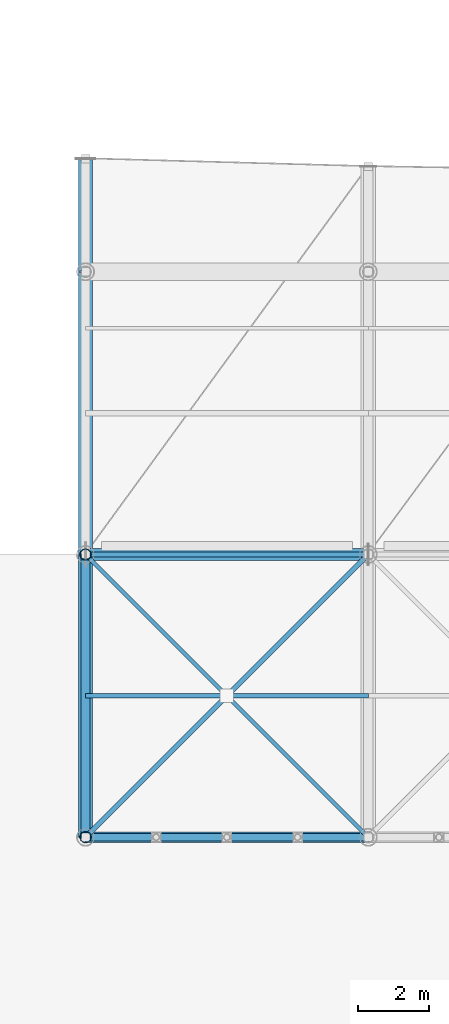
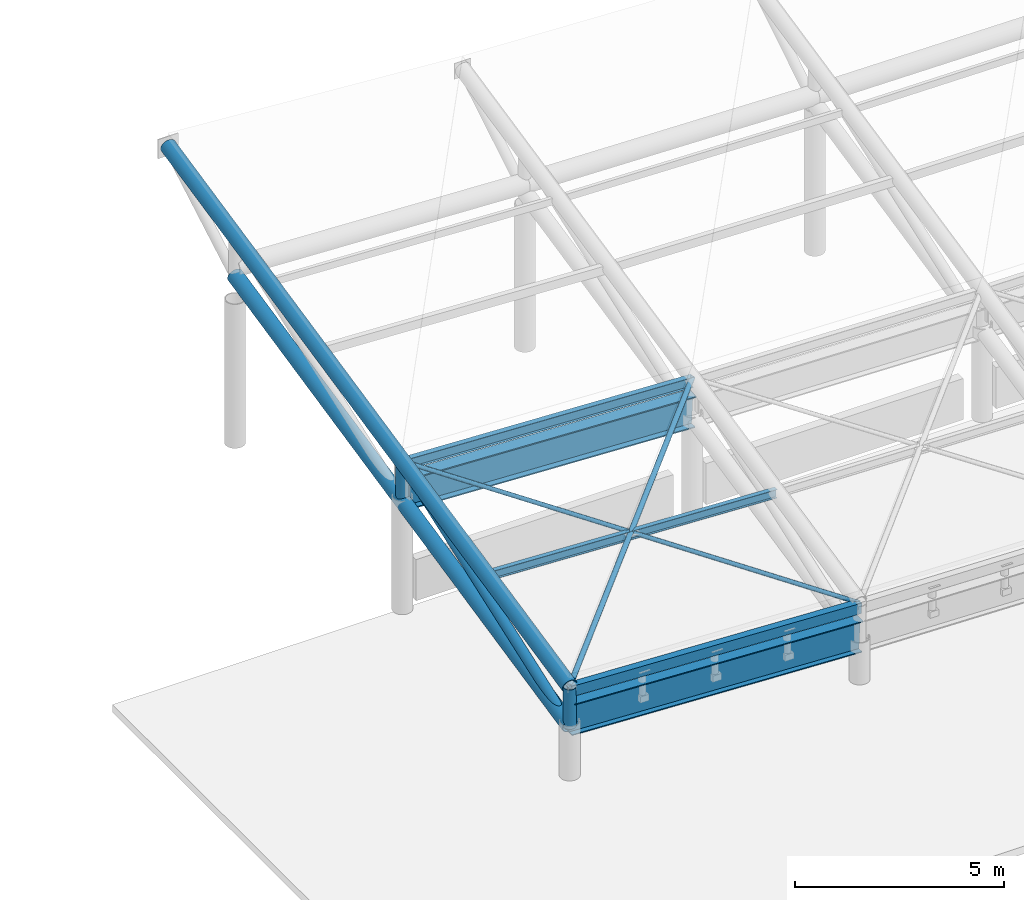
# One storey, part 19 of 78: 10 members, 3 beams.
"""IFC4 building model written with IfcOpenShell, lengths in metres."""

from ifc_helpers import new_model, si_unit, direction, frame, origin, origin_2d, place, context, subcontext, project, spatial, hollow_rectangle, hollow_circle, i_section, extrude, material, material_profile, profile_set, type_object, element, save


model = new_model("IFC4")

# Units and contexts
model_context = context("Model", 3, precision=1e-05, world=origin(), true_north=direction((0.0, 1.0)))
body_context = subcontext(model_context, "Body", "Model", "MODEL_VIEW")
ifc_project = project(units=[si_unit("LENGTHUNIT", "METRE"), si_unit("AREAUNIT", "SQUARE_METRE"), si_unit("VOLUMEUNIT", "CUBIC_METRE"), si_unit("PLANEANGLEUNIT", "RADIAN"), si_unit("MASSUNIT", "GRAM", prefix="KILO")], contexts=[model_context])

# Site, building, storey
site_placement = place(None, origin())
site = spatial("IfcSite", under=ifc_project, at=site_placement, CompositionType="ELEMENT")
building_placement = place(site_placement, origin())
building = spatial("IfcBuilding", under=site, at=building_placement, Name="Haebicheon Civic Stadium", CompositionType="ELEMENT")
storey_placement = place(building_placement, frame((0.0, 0.0, 18.60009765625)))
storey = spatial("IfcBuildingStorey", under=building, at=storey_placement, Name="L05", CompositionType="ELEMENT", Elevation=18.60009765625)

# Members
ifc_material_1 = material(Name="White painted steel SM490", Category="steel")
ifc_material_profile_1 = material_profile(ifc_material_1, hollow_circle(Radius=0.05712890625, WallThickness=0.006103515625, at=origin_2d()), Name="CHS-114.3x6.0")
ifc_profile_set_1 = profile_set([ifc_material_profile_1], Name="White painted steel SM490")
member_type_1 = type_object("IfcMemberType", Name="BRC-CHS114", PredefinedType="BRACE", material=ifc_profile_set_1)
member_1_placement = place(storey_placement, frame((88.0, 24.0, 2.219970703125), z_axis=(-0.695362195371, 0.695362195371, 0.181501610177), x_axis=(-0.707106781187, -0.707106781187, 0.0)))
element("IfcMember", 1, at=member_1_placement, inside=storey, type_object=member_type_1, material=ifc_profile_set_1, Name="BR114 diagonal brace CAN-SOUTH canopy bay 1 B1", PredefinedType="BRACE", context=body_context, shape_type="SweptSolid", body=[
    extrude(hollow_circle(Radius=0.05712890625, WallThickness=0.006103515625, at=origin_2d()), origin(), (0.0, 0.0, 1.0), 5.680419921875),
])
member_2_placement = place(storey_placement, frame((83.949951171875, 28.050048828125, 3.27685546875), z_axis=(-0.695383883673, 0.695383883673, 0.181335348613), x_axis=(-0.707106781187, -0.707106781187, 0.0)))
element("IfcMember", 2, at=member_2_placement, inside=storey, type_object=member_type_1, material=ifc_profile_set_1, Name="BR114 diagonal brace CAN-SOUTH canopy bay 1 B2", PredefinedType="BRACE", context=body_context, shape_type="SweptSolid", body=[
    extrude(hollow_circle(Radius=0.05712890625, WallThickness=0.006103515625, at=origin_2d()), origin(), (0.0, 0.0, 1.0), 5.68017578125),
])
ifc_material_2 = material(Name="White painted steel SM490", Category="steel")
ifc_material_profile_2 = material_profile(ifc_material_2, hollow_circle(Radius=0.06982421875, WallThickness=0.006591796875, at=origin_2d()), Name="CHS-139.8x6.6")
ifc_profile_set_2 = profile_set([ifc_material_profile_2], Name="White painted steel SM490")
member_type_2 = type_object("IfcMemberType", Name="BRC-CHS139", PredefinedType="BRACE", material=ifc_profile_set_2)
member_3_placement = place(storey_placement, frame((80.0, 24.0, 2.5869140625), z_axis=(0.702103787927, 0.702103787927, 0.118745702902), x_axis=(-0.707106781187, 0.707106781187, 0.0)))
element("IfcMember", 3, at=member_3_placement, inside=storey, type_object=member_type_2, material=ifc_profile_set_2, Name="BR139 diagonal brace CAN-SOUTH canopy bay 1 A", PredefinedType="BRACE", context=body_context, shape_type="SweptSolid", body=[
    extrude(hollow_circle(Radius=0.06982421875, WallThickness=0.006591796875, at=origin_2d()), origin(), (0.0, 0.0, 1.0), 11.394287109375),
])
ifc_material_3 = material(Name="White painted steel SM490", Category="steel")
ifc_material_profile_3 = material_profile(ifc_material_3, hollow_circle(Radius=0.1337890625, WallThickness=0.011962890625, at=origin_2d()), Name="CHS-267.4x12.0")
ifc_profile_set_3 = profile_set([ifc_material_profile_3], Name="White painted steel SM490")
member_type_3 = type_object("IfcMemberType", Name="BRC-CHS267", PredefinedType="BRACE", material=ifc_profile_set_3)
member_4_placement = place(storey_placement, frame((80.0, 24.0, 1.43701171875), z_axis=(0.0, 0.9412665544, 0.3376644393), x_axis=(-1.0, 0.0, 0.0)))
element("IfcMember", 4, at=member_4_placement, inside=storey, type_object=member_type_3, material=ifc_profile_set_3, Name="BR267 diagonal brace CAN-SOUTH truss 1 D1", PredefinedType="BRACE", context=body_context, shape_type="SweptSolid", body=[
    extrude(hollow_circle(Radius=0.1337890625, WallThickness=0.011962890625, at=origin_2d()), origin(), (0.0, 0.0, 1.0), 8.499267578125),
])
ifc_material_4 = material(Name="White painted steel SM490", Category="steel")
ifc_material_profile_4 = material_profile(ifc_material_4, hollow_circle(Radius=0.203125, WallThickness=0.01806640625, at=origin_2d()), Name="CHS-406.4x18.0")
ifc_profile_set_4 = profile_set([ifc_material_profile_4], Name="White painted steel SM490")
member_type_4 = type_object("IfcMemberType", Name="CHD-CHS406", PredefinedType="CHORD", material=ifc_profile_set_4)
member_5_placement = place(storey_placement, frame((80.0, 24.0, 2.5869140625), z_axis=(0.0, 0.977659739959, 0.210193798345), x_axis=(-1.0, 0.0, 0.0)))
element("IfcMember", 5, at=member_5_placement, inside=storey, type_object=member_type_4, material=ifc_profile_set_4, Name="CH406 truss chord CAN-SOUTH 1 top", PredefinedType="CHORD", context=body_context, shape_type="SweptSolid", body=[
    extrude(hollow_circle(Radius=0.203125, WallThickness=0.01806640625, at=origin_2d()), origin(), (0.0, 0.0, 1.0), 19.638671875),
])
member_6_placement = place(storey_placement, frame((80.0, 24.0, 1.43701171875), z_axis=(0.0, 0.977659849808, 0.210193287411), x_axis=(-1.0, 0.0, 0.0)))
element("IfcMember", 6, at=member_6_placement, inside=storey, type_object=member_type_4, material=ifc_profile_set_4, Name="CH406 truss chord CAN-SOUTH 1 bottom", PredefinedType="CHORD", context=body_context, shape_type="SweptSolid", body=[
    extrude(hollow_circle(Radius=0.203125, WallThickness=0.01806640625, at=origin_2d()), origin(), (0.0, 0.0, 1.0), 16.36572265625),
])
ifc_material_5 = material(Name="White painted steel SM490", Category="steel")
ifc_material_profile_5 = material_profile(ifc_material_5, i_section(OverallWidth=0.125, OverallDepth=0.25, WebThickness=0.006103515625, FlangeThickness=0.009033203125, at=origin_2d()), Name="H-250x125x6x9")
ifc_profile_set_5 = profile_set([ifc_material_profile_5], Name="White painted steel SM490")
member_type_5 = type_object("IfcMemberType", Name="PRL-ST-H250", PredefinedType="PURLIN", material=ifc_profile_set_5)
member_7_placement = place(storey_placement, frame((80.0, 28.0, 3.3798828125), z_axis=(0.998949723901, 0.0, -0.045819745942), x_axis=(0.0, 1.0, 0.0)))
element("IfcMember", 7, at=member_7_placement, inside=storey, type_object=member_type_5, material=ifc_profile_set_5, Name="CAN-SOUTH canopy purlin bay 1 (25%)", PredefinedType="PURLIN", context=body_context, shape_type="SweptSolid", body=[
    extrude(i_section(OverallWidth=0.125, OverallDepth=0.25, WebThickness=0.006103515625, FlangeThickness=0.009033203125, at=origin_2d()), origin(), (0.0, 0.0, 1.0), 8.00830078125),
])
ifc_material_6 = material(Name="White painted steel SM490", Category="steel")
ifc_material_profile_6 = material_profile(ifc_material_6, i_section(OverallWidth=0.14990234375, OverallDepth=0.300048828125, WebThickness=0.006591796875, FlangeThickness=0.009033203125, at=origin_2d()), Name="H-300x150x6.5x9")
ifc_profile_set_6 = profile_set([ifc_material_profile_6], Name="White painted steel SM490")
member_type_6 = type_object("IfcMemberType", Name="PRL-ST-H300", PredefinedType="PURLIN", material=ifc_profile_set_6)
member_8_placement = place(storey_placement, frame((80.0, 32.0, 4.21484375), z_axis=(0.998949723901, 0.0, -0.045819745942), x_axis=(0.0, 1.0, 0.0)))
element("IfcMember", 8, at=member_8_placement, inside=storey, type_object=member_type_6, material=ifc_profile_set_6, Name="CAN-SOUTH canopy purlin bay 1 (50%)", PredefinedType="PURLIN", context=body_context, shape_type="SweptSolid", body=[
    extrude(i_section(OverallWidth=0.14990234375, OverallDepth=0.300048828125, WebThickness=0.006591796875, FlangeThickness=0.009033203125, at=origin_2d()), origin(), (0.0, 0.0, 1.0), 8.00830078125),
])

# Beams
ifc_material_7 = material(Name="White painted steel SM490", Category="steel")
ifc_material_profile_7 = material_profile(ifc_material_7, i_section(OverallWidth=0.35009765625, OverallDepth=0.89990234375, WebThickness=0.01806640625, FlangeThickness=0.031982421875, at=origin_2d()), Name="H-900x350x18x32")
ifc_profile_set_7 = profile_set([ifc_material_profile_7], Name="White painted steel SM490")
beam_type_1 = type_object("IfcBeamType", Name="RB-ST-H900A", PredefinedType="USERDEFINED", material=ifc_profile_set_7)
beam_1_placement = place(storey_placement, frame((80.0, 32.0, 3.406982421875), z_axis=(0.998948328068, 0.0, -0.045850167402), x_axis=(0.0, 1.0, 0.0)))
element("IfcBeam", 9, at=beam_1_placement, inside=storey, type_object=beam_type_1, material=ifc_profile_set_7, Name="CAN-SOUTH polygonal ring beam RB-PIV bay 1", ObjectType="RING BEAM", PredefinedType="USERDEFINED", context=body_context, shape_type="SweptSolid", body=[
    extrude(i_section(OverallWidth=0.35009765625, OverallDepth=0.89990234375, WebThickness=0.01806640625, FlangeThickness=0.031982421875, at=origin_2d()), origin(), (0.0, 0.0, 1.0), 8.00830078125),
])
ifc_material_8 = material(Name="White painted steel SM490", Category="steel")
ifc_material_profile_8 = material_profile(ifc_material_8, i_section(OverallWidth=0.300048828125, OverallDepth=0.89990234375, WebThickness=0.01611328125, FlangeThickness=0.028076171875, at=origin_2d()), Name="H-900x300x16x28")
ifc_profile_set_8 = profile_set([ifc_material_profile_8], Name="White painted steel SM490")
beam_type_2 = type_object("IfcBeamType", Name="RB-ST-H900B", PredefinedType="USERDEFINED", material=ifc_profile_set_8)
beam_2_placement = place(storey_placement, frame((80.0, 24.0, 1.68701171875), z_axis=(0.998948328068, 0.0, -0.045850167402), x_axis=(0.0, 1.0, 0.0)))
element("IfcBeam", 10, at=beam_2_placement, inside=storey, type_object=beam_type_2, material=ifc_profile_set_8, Name="CAN-SOUTH polygonal ring beam RB-BCK bay 1", ObjectType="RING BEAM", PredefinedType="USERDEFINED", context=body_context, shape_type="SweptSolid", body=[
    extrude(i_section(OverallWidth=0.300048828125, OverallDepth=0.89990234375, WebThickness=0.01611328125, FlangeThickness=0.028076171875, at=origin_2d()), origin(), (0.0, 0.0, 1.0), 8.00830078125),
])
ifc_material_9 = material(Name="White painted steel SM490", Category="steel")
ifc_material_profile_9 = material_profile(ifc_material_9, hollow_rectangle(XDim=0.199951171875, YDim=0.300048828125, WallThickness=0.011962890625, at=origin_2d()), Name="RHS-300x200x12.0")
ifc_profile_set_9 = profile_set([ifc_material_profile_9], Name="White painted steel SM490")
beam_type_3 = type_object("IfcBeamType", Name="RB-ST-RHS300", PredefinedType="USERDEFINED", material=ifc_profile_set_9)
beam_3_placement = place(storey_placement, frame((80.0, 24.0, 2.48681640625), z_axis=(0.998949723901, 0.0, -0.045819745942), x_axis=(0.0, 1.0, 0.0)))
element("IfcBeam", 11, at=beam_3_placement, inside=storey, type_object=beam_type_3, material=ifc_profile_set_9, Name="CAN-SOUTH polygonal ring beam RB-TOP bay 1", ObjectType="RING BEAM", PredefinedType="USERDEFINED", context=body_context, shape_type="SweptSolid", body=[
    extrude(hollow_rectangle(XDim=0.199951171875, YDim=0.300048828125, WallThickness=0.011962890625, at=origin_2d()), origin(), (0.0, 0.0, 1.0), 8.00830078125),
])

# Members
ifc_material_10 = material(Name="White painted steel SM490", Category="steel")
ifc_material_profile_10 = material_profile(ifc_material_10, hollow_circle(Radius=0.1591796875, WallThickness=0.013916015625, at=origin_2d()), Name="CHS-318.5x14.0")
ifc_profile_set_10 = profile_set([ifc_material_profile_10], Name="White painted steel SM490")
member_type_7 = type_object("IfcMemberType", Name="STR-CHS318", PredefinedType="STRUT", material=ifc_profile_set_10)
for number, where, z_axis, x_axis, name in (
    (12, (80.0, 24.0, 1.43701171875), (0.0, 0.0, 1.0), (1.0, 0.0, 0.0), "ST318 web strut CAN-SOUTH truss 1 VB"),
    (13, (80.0, 32.0, 3.156982421875), (0.0, 0.0, 1.0), (1.0, 0.0, 0.0), "ST318 web strut CAN-SOUTH truss 1 VP"),
):
    element("IfcMember", number, at=place(storey_placement, frame(where, z_axis=z_axis, x_axis=x_axis)), inside=storey, type_object=member_type_7, material=ifc_profile_set_10, Name=name, PredefinedType="STRUT", context=body_context, shape_type="SweptSolid", body=[
        extrude(hollow_circle(Radius=0.1591796875, WallThickness=0.013916015625, at=origin_2d()), origin(), (0.0, 0.0, 1.0), 1.14990234375),
    ])

save(model, "model.ifc")
